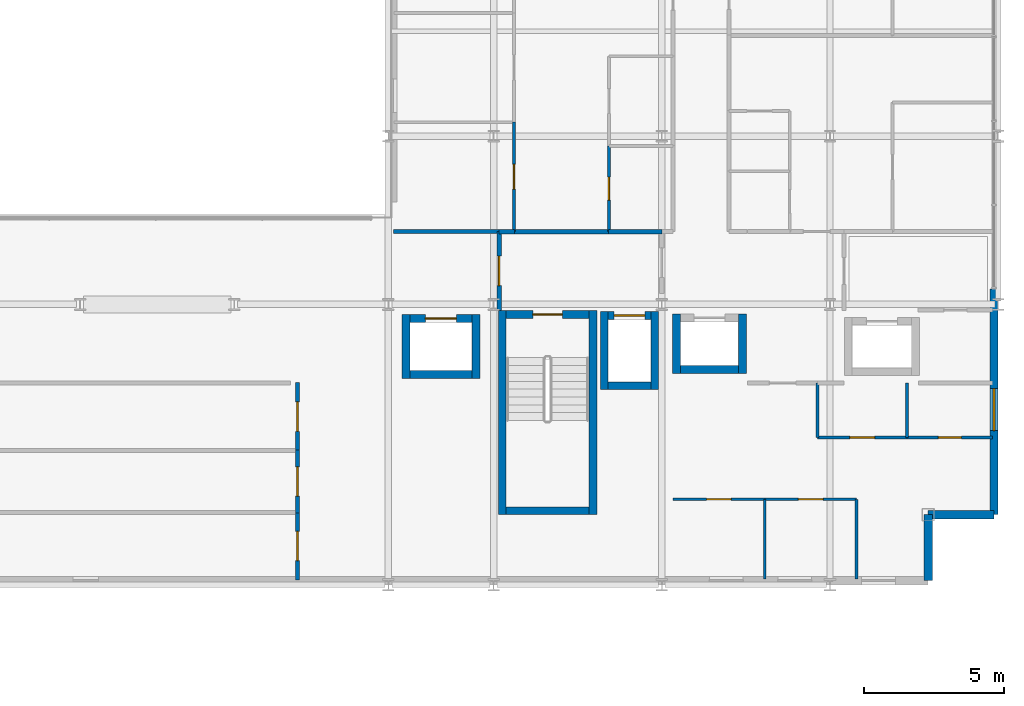
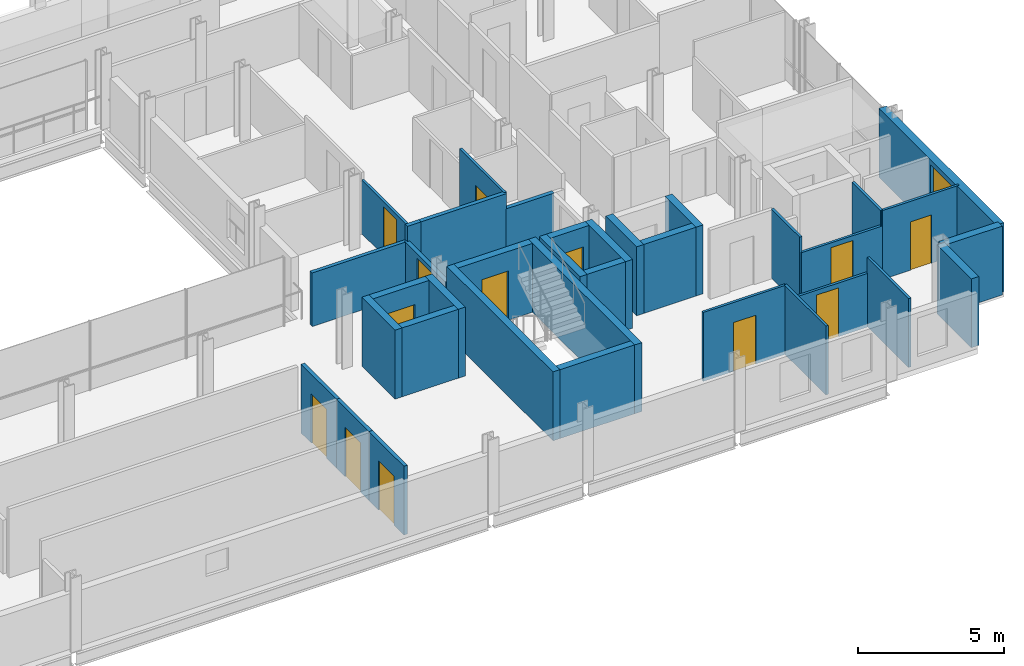
# One storey, part 34 of 41: 36 walls, 13 doors, 1 window, 14 openings.
"""IFC4 building model written with IfcOpenShell, lengths in metres."""

from ifc_helpers import new_model, si_unit, direction, frame, frame_2d, origin, place, context, subcontext, project, spatial, rectangle, extrude, material, layer, layer_set, type_object, element, fill, save


model = new_model("IFC4")

# Units and contexts
model_context = context("Model", 3, precision=1e-05, world=origin(), true_north=direction((0.0, 1.0)))
body_context = subcontext(model_context, "Body", "Model", "MODEL_VIEW")
ifc_project = project(units=[si_unit("LENGTHUNIT", "METRE"), si_unit("AREAUNIT", "SQUARE_METRE"), si_unit("VOLUMEUNIT", "CUBIC_METRE"), si_unit("PLANEANGLEUNIT", "RADIAN"), si_unit("MASSUNIT", "GRAM", prefix="KILO")], contexts=[model_context])

# Site, building, storey
site_placement = place(None, origin())
site = spatial("IfcSite", under=ifc_project, at=site_placement, CompositionType="ELEMENT")
building_placement = place(site_placement, origin())
building = spatial("IfcBuilding", under=site, at=building_placement, Name="Brevholm Reach", CompositionType="ELEMENT")
storey_placement = place(building_placement, frame((0.0, 0.0, 112.800048828125)))
storey = spatial("IfcBuildingStorey", under=building, at=storey_placement, Name="L33", CompositionType="ELEMENT", Elevation=112.800048828125)

# Walls
ifc_material_1 = material(Name="Concrete C50/60", Category="concrete")
ifc_layer_1 = layer(ifc_material_1, 0.280029296875)
ifc_layer_set_1 = layer_set([ifc_layer_1], Name="Concrete C50/60")
wall_type_1 = type_object("IfcWallType", Name="WAL-COR-280", PredefinedType="SHEAR", material=ifc_layer_set_1)
for number, where, z_axis, x_axis, name in (
    (1, (42.31005859375, 2.5, 0.0), (0.0, 0.0, 1.0), (0.0, 1.0, 0.0), "L33 Escape Stair ST-2 Core Wall W"),
    (2, (45.5400390625, 2.5, 0.0), (0.0, 0.0, 1.0), (0.0, 1.0, 0.0), "L33 Escape Stair ST-2 Core Wall E"),
):
    element("IfcWall", number, at=place(storey_placement, frame(where, z_axis=z_axis, x_axis=x_axis)), inside=storey, type_object=wall_type_1, Name=name, PredefinedType="SHEAR", context=body_context, shape_type="SweptSolid", body=[
        extrude(rectangle(XDim=7.280029296875, YDim=0.280029296875, at=frame_2d((3.64013671875, 0.0))), origin(), (0.0, 0.0, 1.0), 2.8798828125),
    ])
wall_1_placement = place(storey_placement, frame((42.449951171875, 2.639892578125, 0.0), z_axis=(0.0, 0.0, 1.0), x_axis=(1.0, 0.0, 0.0)))
element("IfcWall", 3, at=wall_1_placement, inside=storey, type_object=wall_type_1, Name="L33 Escape Stair ST-2 Core Wall S", PredefinedType="SHEAR", context=body_context, shape_type="SweptSolid", body=[
    extrude(rectangle(XDim=2.949951171875, YDim=0.280029296875, at=frame_2d((1.47509765625, 0.0))), origin(), (0.0, 0.0, 1.0), 2.8798828125),
])

# Wall, opening, door
wall_2_placement = place(storey_placement, frame((45.39990234375, 9.639892578125, 0.0), z_axis=(0.0, 0.0, 1.0), x_axis=(-1.0, 0.0, 0.0)))
wall_2 = element("IfcWall", 4, at=wall_2_placement, inside=storey, type_object=wall_type_1, Name="L33 Escape Stair ST-2 Core Wall N", PredefinedType="SHEAR", context=body_context, shape_type="SweptSolid", body=[
    extrude(rectangle(XDim=2.949951171875, YDim=0.280029296875, at=frame_2d((1.47509765625, 0.0))), origin(), (0.0, 0.0, 1.0), 2.8798828125),
])
opening_1_placement = place(wall_2_placement, frame((0.949951171875, 0.0, 0.0)))
opening_1 = element("IfcOpeningElement", 5, at=opening_1_placement, cuts=wall_2, Name="Opening SD-ST-2", PredefinedType="OPENING", context=body_context, shape_type="SweptSolid", body=[
    extrude(rectangle(XDim=1.050048828125, YDim=2.06005859375, at=frame_2d((0.52490234375, 1.030029296875))), frame((0.0, 0.14990234375, 0.0), z_axis=(0.0, -1.0, 0.0), x_axis=(1.0, 0.0, 0.0)), (0.0, 0.0, 1.0), 0.300048828125),
])
ifc_material_2 = material(Name="Hardwood-Lipped Steel-Core Fire and Smoke Door", Category="steel")
door_type_1 = type_object("IfcDoorType", Name="DOR-INT-FD60S", OperationType="NOTDEFINED", PredefinedType="DOOR", material=ifc_material_2)
door_1_placement = place(opening_1_placement, origin())
door_1 = element("IfcDoor", 6, at=door_1_placement, inside=storey, type_object=door_type_1, Name="L33 Protected Stair ST-2 Lobby Door", OperationType="SINGLE_SWING_RIGHT", OverallHeight=2.06005859375, OverallWidth=1.050048828125, PredefinedType="DOOR", context=body_context, shape_type="SweptSolid", body=[
    extrude(rectangle(XDim=1.050048828125, YDim=2.06005859375, at=frame_2d((0.52490234375, 1.030029296875))), frame((0.0, 0.02490234375, 0.0), z_axis=(0.0, -1.0, 0.0), x_axis=(1.0, 0.0, 0.0)), (0.0, 0.0, 1.0), 0.050048828125),
])
fill(opening_1, door_1)

# Walls
for number, where, z_axis, x_axis, name in (
    (7, (45.949951171875, 6.9599609375, 0.0), (0.0, 0.0, 1.0), (0.0, 1.0, 0.0), "L33 Lift FFL-2 Shaft Wall W"),
    (8, (47.75, 6.9599609375, 0.0), (0.0, 0.0, 1.0), (0.0, 1.0, 0.0), "L33 Lift FFL-2 Shaft Wall E"),
):
    element("IfcWall", number, at=place(storey_placement, frame(where, z_axis=z_axis, x_axis=x_axis)), inside=storey, type_object=wall_type_1, Name=name, PredefinedType="SHEAR", context=body_context, shape_type="SweptSolid", body=[
        extrude(rectangle(XDim=2.780029296875, YDim=0.280029296875, at=frame_2d((1.39013671875, 0.0))), origin(), (0.0, 0.0, 1.0), 2.8798828125),
    ])
wall_3_placement = place(storey_placement, frame((46.090087890625, 7.10009765625, 0.0), z_axis=(0.0, 0.0, 1.0), x_axis=(1.0, 0.0, 0.0)))
element("IfcWall", 9, at=wall_3_placement, inside=storey, type_object=wall_type_1, Name="L33 Lift FFL-2 Shaft Wall S", PredefinedType="SHEAR", context=body_context, shape_type="SweptSolid", body=[
    extrude(rectangle(XDim=1.52001953125, YDim=0.280029296875, at=frame_2d((0.760009765625, 0.0))), origin(), (0.0, 0.0, 1.0), 2.8798828125),
])

# Wall, opening, door
wall_4_placement = place(storey_placement, frame((46.090087890625, 9.60009765625, 0.0), z_axis=(0.0, 0.0, 1.0), x_axis=(1.0, 0.0, 0.0)))
wall_4 = element("IfcWall", 10, at=wall_4_placement, inside=storey, type_object=wall_type_1, Name="L33 Lift FFL-2 Shaft Wall N", PredefinedType="SHEAR", context=body_context, shape_type="SweptSolid", body=[
    extrude(rectangle(XDim=1.52001953125, YDim=0.280029296875, at=frame_2d((0.760009765625, 0.0))), origin(), (0.0, 0.0, 1.0), 2.8798828125),
])
opening_2_placement = place(wall_4_placement, frame((0.2099609375, 0.0, 0.0)))
opening_2 = element("IfcOpeningElement", 11, at=opening_2_placement, cuts=wall_4, Name="Opening LD-FFL-2", PredefinedType="OPENING", context=body_context, shape_type="SweptSolid", body=[
    extrude(rectangle(XDim=1.10009765625, YDim=2.06005859375, at=frame_2d((0.550048828125, 1.030029296875))), frame((0.0, 0.14990234375, 0.0), z_axis=(0.0, -1.0, 0.0), x_axis=(1.0, 0.0, 0.0)), (0.0, 0.0, 1.0), 0.300048828125),
])
ifc_material_3 = material(Name="Brushed Stainless Steel Fire-Rated Sliding Lift Door", Category="steel")
door_type_2 = type_object("IfcDoorType", Name="DOR-LFT-1100", OperationType="NOTDEFINED", PredefinedType="DOOR", material=ifc_material_3)
door_2_placement = place(opening_2_placement, origin())
door_2 = element("IfcDoor", 12, at=door_2_placement, inside=storey, type_object=door_type_2, Name="L33 Lift FFL-2 Sliding Landing Door", OperationType="SLIDING_TO_RIGHT", OverallHeight=2.06005859375, OverallWidth=1.10009765625, PredefinedType="DOOR", context=body_context, shape_type="SweptSolid", body=[
    extrude(rectangle(XDim=1.10009765625, YDim=2.06005859375, at=frame_2d((0.550048828125, 1.030029296875))), frame((0.0, 0.02490234375, 0.0), z_axis=(0.0, -1.0, 0.0), x_axis=(1.0, 0.0, 0.0)), (0.0, 0.0, 1.0), 0.050048828125),
])
fill(opening_2, door_2)

# Walls
for number, where, z_axis, x_axis, name in (
    (13, (48.52490234375, 7.534912109375, 0.0), (0.0, 0.0, 1.0), (0.0, 1.0, 0.0), "L33 Lift PL-L1 Shaft Wall W"),
    (14, (50.875, 7.534912109375, 0.0), (0.0, 0.0, 1.0), (0.0, 1.0, 0.0), "L33 Lift PL-L1 Shaft Wall E"),
):
    element("IfcWall", number, at=place(storey_placement, frame(where, z_axis=z_axis, x_axis=x_axis)), inside=storey, type_object=wall_type_1, Name=name, PredefinedType="SHEAR", context=body_context, shape_type="SweptSolid", body=[
        extrude(rectangle(XDim=2.130126953125, YDim=0.280029296875, at=frame_2d((1.06494140625, 0.0))), origin(), (0.0, 0.0, 1.0), 2.8798828125),
    ])
wall_5_placement = place(storey_placement, frame((48.6650390625, 7.675048828125, 0.0), z_axis=(0.0, 0.0, 1.0), x_axis=(1.0, 0.0, 0.0)))
element("IfcWall", 15, at=wall_5_placement, inside=storey, type_object=wall_type_1, Name="L33 Lift PL-L1 Shaft Wall S", PredefinedType="SHEAR", context=body_context, shape_type="SweptSolid", body=[
    extrude(rectangle(XDim=2.070068359375, YDim=0.280029296875, at=frame_2d((1.03515625, 0.0))), origin(), (0.0, 0.0, 1.0), 2.8798828125),
])
for number, where, z_axis, x_axis, name in (
    (16, (38.8701171875, 7.360107421875, 0.0), (0.0, 0.0, 1.0), (0.0, 1.0, 0.0), "L33 Lift PL-S1 Shaft Wall W"),
    (17, (41.3701171875, 7.360107421875, 0.0), (0.0, 0.0, 1.0), (0.0, 1.0, 0.0), "L33 Lift PL-S1 Shaft Wall E"),
):
    element("IfcWall", number, at=place(storey_placement, frame(where, z_axis=z_axis, x_axis=x_axis)), inside=storey, type_object=wall_type_1, Name=name, PredefinedType="SHEAR", context=body_context, shape_type="SweptSolid", body=[
        extrude(rectangle(XDim=2.27978515625, YDim=0.280029296875, at=frame_2d((1.139892578125, 0.0))), origin(), (0.0, 0.0, 1.0), 2.8798828125),
    ])
wall_6_placement = place(storey_placement, frame((39.010009765625, 7.5, 0.0), z_axis=(0.0, 0.0, 1.0), x_axis=(1.0, 0.0, 0.0)))
element("IfcWall", 18, at=wall_6_placement, inside=storey, type_object=wall_type_1, Name="L33 Lift PL-S1 Shaft Wall S", PredefinedType="SHEAR", context=body_context, shape_type="SweptSolid", body=[
    extrude(rectangle(XDim=2.219970703125, YDim=0.280029296875, at=frame_2d((1.10986328125, 0.0))), origin(), (0.0, 0.0, 1.0), 2.8798828125),
])

# Wall, opening, door
wall_7_placement = place(storey_placement, frame((39.010009765625, 9.5, 0.0), z_axis=(0.0, 0.0, 1.0), x_axis=(1.0, 0.0, 0.0)))
wall_7 = element("IfcWall", 19, at=wall_7_placement, inside=storey, type_object=wall_type_1, Name="L33 Lift PL-S1 Shaft Wall N", PredefinedType="SHEAR", context=body_context, shape_type="SweptSolid", body=[
    extrude(rectangle(XDim=2.219970703125, YDim=0.280029296875, at=frame_2d((1.10986328125, 0.0))), origin(), (0.0, 0.0, 1.0), 2.8798828125),
])
opening_3_placement = place(wall_7_placement, frame((0.56005859375, 0.0, 0.0)))
opening_3 = element("IfcOpeningElement", 20, at=opening_3_placement, cuts=wall_7, Name="Opening LD-PL-S1", PredefinedType="OPENING", context=body_context, shape_type="SweptSolid", body=[
    extrude(rectangle(XDim=1.10009765625, YDim=2.06005859375, at=frame_2d((0.550048828125, 1.030029296875))), frame((0.0, 0.14990234375, 0.0), z_axis=(0.0, -1.0, 0.0), x_axis=(1.0, 0.0, 0.0)), (0.0, 0.0, 1.0), 0.300048828125),
])
door_3_placement = place(opening_3_placement, origin())
door_3 = element("IfcDoor", 21, at=door_3_placement, inside=storey, type_object=door_type_2, Name="L33 Lift PL-S1 Sliding Landing Door", OperationType="SLIDING_TO_LEFT", OverallHeight=2.06005859375, OverallWidth=1.10009765625, PredefinedType="DOOR", context=body_context, shape_type="SweptSolid", body=[
    extrude(rectangle(XDim=1.10009765625, YDim=2.06005859375, at=frame_2d((0.550048828125, 1.030029296875))), frame((0.0, 0.02490234375, 0.0), z_axis=(0.0, -1.0, 0.0), x_axis=(1.0, 0.0, 0.0)), (0.0, 0.0, 1.0), 0.050048828125),
])
fill(opening_3, door_3)

# Walls
ifc_material_4 = material(Name="Concrete C40/50", Category="concrete")
ifc_layer_2 = layer(ifc_material_4, 0.300048828125)
ifc_layer_set_2 = layer_set([ifc_layer_2], Name="Concrete C40/50")
wall_type_2 = type_object("IfcWallType", Name="WAL-EXT-300", PredefinedType="STANDARD", material=ifc_layer_set_2)
for number, where, z_axis, x_axis, name in (
    (22, (57.5, 0.14990234375, 0.0), (0.0, 0.0, 1.0), (0.0, 1.0, 0.0), "L33 Facade Wall WAL-L33-CSE1"),
    (23, (57.5, 2.5, 0.0), (0.0, 0.0, 1.0), (1.0, 0.0, 0.0), "L33 Facade Wall WAL-L33-CSE2"),
):
    element("IfcWall", number, at=place(storey_placement, frame(where, z_axis=z_axis, x_axis=x_axis)), inside=storey, type_object=wall_type_2, Name=name, PredefinedType="STANDARD", context=body_context, shape_type="SweptSolid", body=[
        extrude(rectangle(XDim=2.35009765625, YDim=0.300048828125, at=frame_2d((1.175048828125, 0.0))), origin(), (0.0, 0.0, 1.0), 2.8798828125),
    ])

# Wall, opening, window
wall_8_placement = place(storey_placement, frame((59.85009765625, 2.5, 0.0), z_axis=(0.0, 0.0, 1.0), x_axis=(0.0, 1.0, 0.0)))
wall_8 = element("IfcWall", 24, at=wall_8_placement, inside=storey, type_object=wall_type_2, Name="L33 Facade Wall WAL-L33-E-S", PredefinedType="STANDARD", context=body_context, shape_type="SweptSolid", body=[
    extrude(rectangle(XDim=8.050048828125, YDim=0.300048828125, at=frame_2d((4.02490234375, 0.0))), origin(), (0.0, 0.0, 1.0), 2.8798828125),
])
opening_4_placement = place(wall_8_placement, frame((3.0, 0.0, 0.860107421875)))
opening_4 = element("IfcOpeningElement", 25, at=opening_4_placement, cuts=wall_8, Name="Opening WN-05", PredefinedType="OPENING", context=body_context, shape_type="SweptSolid", body=[
    extrude(rectangle(XDim=1.5, YDim=1.800048828125, at=frame_2d((0.75, 0.89990234375))), frame((0.0, 0.159912109375, 0.0), z_axis=(0.0, -1.0, 0.0), x_axis=(1.0, 0.0, 0.0)), (0.0, 0.0, 1.0), 0.320068359375),
])
ifc_material_5 = material(Name="Dark Anodised Aluminium and Solar-Control IGU Glass", Category="aluminium")
window_type = type_object("IfcWindowType", Name="WIN-RES-1500", PartitioningType="SINGLE_PANEL", PredefinedType="WINDOW", material=ifc_material_5)
window_placement = place(opening_4_placement, origin())
window = element("IfcWindow", 26, at=window_placement, inside=storey, type_object=window_type, Name="L33 Window WIN-L33-ES-1", OverallHeight=1.800048828125, OverallWidth=1.5, PartitioningType="SINGLE_PANEL", PredefinedType="WINDOW", context=body_context, shape_type="SweptSolid", body=[
    extrude(rectangle(XDim=1.5, YDim=1.800048828125, at=frame_2d((0.75, 0.89990234375))), frame((0.0, 0.030029296875, 0.0), z_axis=(0.0, -1.0, 0.0), x_axis=(1.0, 0.0, 0.0)), (0.0, 0.0, 1.0), 0.06005859375),
])
fill(opening_4, window)

# Wall
ifc_material_6 = material(Name="Moisture-Resistant Acoustic Gypsum Stud Partition 100 mm", Category="gypsum")
ifc_layer_3 = layer(ifc_material_6, 0.10009765625)
ifc_layer_set_3 = layer_set([ifc_layer_3], Name="Moisture-Resistant Acoustic Gypsum Stud Partition 100 mm")
wall_type_3 = type_object("IfcWallType", Name="WAL-PRT-100", PredefinedType="PARTITIONING", material=ifc_layer_set_3)
wall_9_placement = place(storey_placement, frame((56.75, 5.25, 0.0), z_axis=(0.0, 0.0, 1.0), x_axis=(0.0, 1.0, 0.0)))
element("IfcWall", 27, at=wall_9_placement, inside=storey, type_object=wall_type_3, Name="L33 Internal Partition 079", PredefinedType="PARTITIONING", context=body_context, shape_type="SweptSolid", body=[
    extrude(rectangle(XDim=1.949951171875, YDim=0.10009765625, at=frame_2d((0.97509765625, 0.0))), origin(), (0.0, 0.0, 1.0), 2.8798828125),
])

# Wall, opening, door
wall_10_placement = place(storey_placement, frame((56.75, 5.25, 0.0), z_axis=(0.0, 0.0, 1.0), x_axis=(1.0, 0.0, 0.0)))
wall_10 = element("IfcWall", 28, at=wall_10_placement, inside=storey, type_object=wall_type_3, Name="L33 Internal Partition 080", PredefinedType="PARTITIONING", context=body_context, shape_type="SweptSolid", body=[
    extrude(rectangle(XDim=3.050048828125, YDim=0.10009765625, at=frame_2d((1.52490234375, 0.0))), origin(), (0.0, 0.0, 1.0), 2.8798828125),
])
opening_5_placement = place(wall_10_placement, frame((1.114990234375, 0.0, 0.0)))
opening_5 = element("IfcOpeningElement", 29, at=opening_5_placement, cuts=wall_10, Name="Opening ID-03", PredefinedType="OPENING", context=body_context, shape_type="SweptSolid", body=[
    extrude(rectangle(XDim=0.820068359375, YDim=2.02001953125, at=frame_2d((0.41015625, 1.010009765625))), frame((0.0, 0.06005859375, 0.0), z_axis=(0.0, -1.0, 0.0), x_axis=(1.0, 0.0, 0.0)), (0.0, 0.0, 1.0), 0.1201171875),
])
ifc_material_7 = material(Name="Moisture-Resistant Painted Timber Internal Bathroom Door", Category="wood")
door_type_3 = type_object("IfcDoorType", Name="DOR-BATH-820", OperationType="NOTDEFINED", PredefinedType="DOOR", material=ifc_material_7)
door_4_placement = place(opening_5_placement, origin())
door_4 = element("IfcDoor", 30, at=door_4_placement, inside=storey, type_object=door_type_3, Name="L33 Internal Door 028", OperationType="SINGLE_SWING_RIGHT", OverallHeight=2.02001953125, OverallWidth=0.820068359375, PredefinedType="DOOR", context=body_context, shape_type="SweptSolid", body=[
    extrude(rectangle(XDim=0.820068359375, YDim=2.02001953125, at=frame_2d((0.41015625, 1.010009765625))), frame((0.0, 0.02490234375, 0.0), z_axis=(0.0, -1.0, 0.0), x_axis=(1.0, 0.0, 0.0)), (0.0, 0.0, 1.0), 0.050048828125),
])
fill(opening_5, door_4)

wall_11_placement = place(storey_placement, frame((53.55810546875, 5.25, 0.0), z_axis=(0.0, 0.0, 1.0), x_axis=(1.0, 0.0, 0.0)))
wall_11 = element("IfcWall", 31, at=wall_11_placement, inside=storey, type_object=wall_type_3, Name="L33 Internal Partition 081", PredefinedType="PARTITIONING", context=body_context, shape_type="SweptSolid", body=[
    extrude(rectangle(XDim=3.18798828125, YDim=0.10009765625, at=frame_2d((1.593994140625, 0.0))), origin(), (0.0, 0.0, 1.0), 2.24267578125),
])
opening_6_placement = place(wall_11_placement, frame((1.154052734375, 0.0, 0.0)))
opening_6 = element("IfcOpeningElement", 32, at=opening_6_placement, cuts=wall_11, Name="Opening ID-01", PredefinedType="OPENING", context=body_context, shape_type="SweptSolid", body=[
    extrude(rectangle(XDim=0.8798828125, YDim=2.0400390625, at=frame_2d((0.43994140625, 1.02001953125))), frame((0.0, 0.06005859375, 0.0), z_axis=(0.0, -1.0, 0.0), x_axis=(1.0, 0.0, 0.0)), (0.0, 0.0, 1.0), 0.1201171875),
])
ifc_material_8 = material(Name="Lacquered Ash Solid-Core Acoustic Internal Door", Category="timber")
door_type_4 = type_object("IfcDoorType", Name="DOR-INT-880", OperationType="NOTDEFINED", PredefinedType="DOOR", material=ifc_material_8)
door_5_placement = place(opening_6_placement, origin())
door_5 = element("IfcDoor", 33, at=door_5_placement, inside=storey, type_object=door_type_4, Name="L33 Internal Door 029", OperationType="SINGLE_SWING_LEFT", OverallHeight=2.0400390625, OverallWidth=0.8798828125, PredefinedType="DOOR", context=body_context, shape_type="SweptSolid", body=[
    extrude(rectangle(XDim=0.8798828125, YDim=2.0400390625, at=frame_2d((0.43994140625, 1.02001953125))), frame((0.0, 0.02490234375, 0.0), z_axis=(0.0, -1.0, 0.0), x_axis=(1.0, 0.0, 0.0)), (0.0, 0.0, 1.0), 0.050048828125),
])
fill(opening_6, door_5)

# Walls
wall_12_placement = place(storey_placement, frame((53.55810546875, 5.25, 0.0), z_axis=(0.0, 0.0, 1.0), x_axis=(0.0, 1.0, 0.0)))
element("IfcWall", 34, at=wall_12_placement, inside=storey, type_object=wall_type_3, Name="L33 Internal Partition 082", PredefinedType="PARTITIONING", context=body_context, shape_type="SweptSolid", body=[
    extrude(rectangle(XDim=1.946044921875, YDim=0.10009765625, at=frame_2d((0.97314453125, 0.0))), origin(), (0.0, 0.0, 1.0), 2.8798828125),
])
wall_13_placement = place(storey_placement, frame((51.675048828125, 0.199951171875, 0.0), z_axis=(0.0, 0.0, 1.0), x_axis=(0.0, 1.0, 0.0)))
element("IfcWall", 35, at=wall_13_placement, inside=storey, type_object=wall_type_3, Name="L33 Internal Partition 083", PredefinedType="PARTITIONING", context=body_context, shape_type="SweptSolid", body=[
    extrude(rectangle(XDim=2.85009765625, YDim=0.10009765625, at=frame_2d((1.425048828125, 0.0))), origin(), (0.0, 0.0, 1.0), 2.8798828125),
])

# Wall, opening, door
wall_14_placement = place(storey_placement, frame((48.39990234375, 3.050048828125, 0.0), z_axis=(0.0, 0.0, 1.0), x_axis=(1.0, 0.0, 0.0)))
wall_14 = element("IfcWall", 36, at=wall_14_placement, inside=storey, type_object=wall_type_3, Name="L33 Internal Partition 084", PredefinedType="PARTITIONING", context=body_context, shape_type="SweptSolid", body=[
    extrude(rectangle(XDim=3.275146484375, YDim=0.10009765625, at=frame_2d((1.6376953125, 0.0))), origin(), (0.0, 0.0, 1.0), 2.8798828125),
])
opening_7_placement = place(wall_14_placement, frame((1.197509765625, 0.0, 0.0)))
opening_7 = element("IfcOpeningElement", 37, at=opening_7_placement, cuts=wall_14, Name="Opening ID-01", PredefinedType="OPENING", context=body_context, shape_type="SweptSolid", body=[
    extrude(rectangle(XDim=0.8798828125, YDim=2.0400390625, at=frame_2d((0.43994140625, 1.02001953125))), frame((0.0, 0.06005859375, 0.0), z_axis=(0.0, -1.0, 0.0), x_axis=(1.0, 0.0, 0.0)), (0.0, 0.0, 1.0), 0.1201171875),
])
door_6_placement = place(opening_7_placement, origin())
door_6 = element("IfcDoor", 38, at=door_6_placement, inside=storey, type_object=door_type_4, Name="L33 Internal Door 030", OperationType="SINGLE_SWING_RIGHT", OverallHeight=2.0400390625, OverallWidth=0.8798828125, PredefinedType="DOOR", context=body_context, shape_type="SweptSolid", body=[
    extrude(rectangle(XDim=0.8798828125, YDim=2.0400390625, at=frame_2d((0.43994140625, 1.02001953125))), frame((0.0, 0.02490234375, 0.0), z_axis=(0.0, -1.0, 0.0), x_axis=(1.0, 0.0, 0.0)), (0.0, 0.0, 1.0), 0.050048828125),
])
fill(opening_7, door_6)

# Wall
wall_15_placement = place(storey_placement, frame((54.949951171875, 0.199951171875, 0.0), z_axis=(0.0, 0.0, 1.0), x_axis=(0.0, 1.0, 0.0)))
element("IfcWall", 39, at=wall_15_placement, inside=storey, type_object=wall_type_3, Name="L33 Internal Partition 085", PredefinedType="PARTITIONING", context=body_context, shape_type="SweptSolid", body=[
    extrude(rectangle(XDim=2.85009765625, YDim=0.10009765625, at=frame_2d((1.425048828125, 0.0))), origin(), (0.0, 0.0, 1.0), 2.8798828125),
])

# Wall, opening, door
wall_16_placement = place(storey_placement, frame((51.678955078125, 3.050048828125, 0.0), z_axis=(0.0, 0.0, 1.0), x_axis=(1.0, 0.0, 0.0)))
wall_16 = element("IfcWall", 40, at=wall_16_placement, inside=storey, type_object=wall_type_3, Name="L33 Internal Partition 086", PredefinedType="PARTITIONING", context=body_context, shape_type="SweptSolid", body=[
    extrude(rectangle(XDim=3.27099609375, YDim=0.10009765625, at=frame_2d((1.635498046875, 0.0))), origin(), (0.0, 0.0, 1.0), 2.24267578125),
])
opening_8_placement = place(wall_16_placement, frame((1.195556640625, 0.0, 0.0)))
opening_8 = element("IfcOpeningElement", 41, at=opening_8_placement, cuts=wall_16, Name="Opening ID-01", PredefinedType="OPENING", context=body_context, shape_type="SweptSolid", body=[
    extrude(rectangle(XDim=0.8798828125, YDim=2.0400390625, at=frame_2d((0.43994140625, 1.02001953125))), frame((0.0, 0.06005859375, 0.0), z_axis=(0.0, -1.0, 0.0), x_axis=(1.0, 0.0, 0.0)), (0.0, 0.0, 1.0), 0.1201171875),
])
door_7_placement = place(opening_8_placement, origin())
door_7 = element("IfcDoor", 42, at=door_7_placement, inside=storey, type_object=door_type_4, Name="L33 Internal Door 031", OperationType="SINGLE_SWING_LEFT", OverallHeight=2.0400390625, OverallWidth=0.8798828125, PredefinedType="DOOR", context=body_context, shape_type="SweptSolid", body=[
    extrude(rectangle(XDim=0.8798828125, YDim=2.0400390625, at=frame_2d((0.43994140625, 1.02001953125))), frame((0.0, 0.02490234375, 0.0), z_axis=(0.0, -1.0, 0.0), x_axis=(1.0, 0.0, 0.0)), (0.0, 0.0, 1.0), 0.050048828125),
])
fill(opening_8, door_7)

wall_17_placement = place(storey_placement, frame((46.112060546875, 12.60400390625, 0.0), z_axis=(0.0, 0.0, 1.0), x_axis=(0.0, 1.0, 0.0)))
wall_17 = element("IfcWall", 43, at=wall_17_placement, inside=storey, type_object=wall_type_3, Name="L33 Internal Partition 121", PredefinedType="PARTITIONING", context=body_context, shape_type="SweptSolid", body=[
    extrude(rectangle(XDim=3.0458984375, YDim=0.10009765625, at=frame_2d((1.52294921875, 0.0))), origin(), (0.0, 0.0, 1.0), 2.8798828125),
])
opening_9_placement = place(wall_17_placement, frame((1.113037109375, 0.0, 0.0)))
opening_9 = element("IfcOpeningElement", 44, at=opening_9_placement, cuts=wall_17, Name="Opening ID-03", PredefinedType="OPENING", context=body_context, shape_type="SweptSolid", body=[
    extrude(rectangle(XDim=0.820068359375, YDim=2.02001953125, at=frame_2d((0.41015625, 1.010009765625))), frame((0.0, 0.06005859375, 0.0), z_axis=(0.0, -1.0, 0.0), x_axis=(1.0, 0.0, 0.0)), (0.0, 0.0, 1.0), 0.1201171875),
])
door_8_placement = place(opening_9_placement, origin())
door_8 = element("IfcDoor", 45, at=door_8_placement, inside=storey, type_object=door_type_3, Name="L33 Internal Door 044", OperationType="SINGLE_SWING_RIGHT", OverallHeight=2.02001953125, OverallWidth=0.820068359375, PredefinedType="DOOR", context=body_context, shape_type="SweptSolid", body=[
    extrude(rectangle(XDim=0.820068359375, YDim=2.02001953125, at=frame_2d((0.41015625, 1.010009765625))), frame((0.0, 0.02490234375, 0.0), z_axis=(0.0, -1.0, 0.0), x_axis=(1.0, 0.0, 0.0)), (0.0, 0.0, 1.0), 0.050048828125),
])
fill(opening_9, door_8)

wall_18_placement = place(storey_placement, frame((42.72802734375, 12.60400390625, 0.0), z_axis=(0.0, 0.0, 1.0), x_axis=(0.0, 1.0, 0.0)))
wall_18 = element("IfcWall", 46, at=wall_18_placement, inside=storey, type_object=wall_type_3, Name="L33 Internal Partition 127", PredefinedType="PARTITIONING", context=body_context, shape_type="SweptSolid", body=[
    extrude(rectangle(XDim=3.89599609375, YDim=0.10009765625, at=frame_2d((1.947998046875, 0.0))), origin(), (0.0, 0.0, 1.0), 2.24267578125),
])
opening_10_placement = place(wall_18_placement, frame((1.508056640625, 0.0, 0.0)))
opening_10 = element("IfcOpeningElement", 47, at=opening_10_placement, cuts=wall_18, Name="Opening ID-01", PredefinedType="OPENING", context=body_context, shape_type="SweptSolid", body=[
    extrude(rectangle(XDim=0.8798828125, YDim=2.0400390625, at=frame_2d((0.43994140625, 1.02001953125))), frame((0.0, 0.06005859375, 0.0), z_axis=(0.0, -1.0, 0.0), x_axis=(1.0, 0.0, 0.0)), (0.0, 0.0, 1.0), 0.1201171875),
])
door_9_placement = place(opening_10_placement, origin())
door_9 = element("IfcDoor", 48, at=door_9_placement, inside=storey, type_object=door_type_4, Name="L33 Internal Door 047", OperationType="SINGLE_SWING_LEFT", OverallHeight=2.0400390625, OverallWidth=0.8798828125, PredefinedType="DOOR", context=body_context, shape_type="SweptSolid", body=[
    extrude(rectangle(XDim=0.8798828125, YDim=2.0400390625, at=frame_2d((0.43994140625, 1.02001953125))), frame((0.0, 0.02490234375, 0.0), z_axis=(0.0, -1.0, 0.0), x_axis=(1.0, 0.0, 0.0)), (0.0, 0.0, 1.0), 0.050048828125),
])
fill(opening_10, door_9)

ifc_material_9 = material(Name="Twin-Stud Acoustic Fire-Rated Gypsum Partition 140 mm", Category="gypsum")
ifc_layer_4 = layer(ifc_material_9, 0.139892578125)
ifc_layer_set_4 = layer_set([ifc_layer_4], Name="Twin-Stud Acoustic Fire-Rated Gypsum Partition 140 mm")
wall_type_4 = type_object("IfcWallType", Name="WAL-PRT-140", PredefinedType="PARTITIONING", material=ifc_layer_set_4)
wall_19_placement = place(storey_placement, frame((35.0, 0.179931640625, 0.0), z_axis=(0.0, 0.0, 1.0), x_axis=(0.0, 1.0, 0.0)))
wall_19 = element("IfcWall", 49, at=wall_19_placement, inside=storey, type_object=wall_type_4, Name="L33 Internal Partition 001", PredefinedType="PARTITIONING", context=body_context, shape_type="SweptSolid", body=[
    extrude(rectangle(XDim=2.408447265625, YDim=0.139892578125, at=frame_2d((1.2041015625, 0.0))), origin(), (0.0, 0.0, 1.0), 2.8798828125),
])
opening_11_placement = place(wall_19_placement, frame((0.67919921875, 0.0, 0.0)))
opening_11 = element("IfcOpeningElement", 50, at=opening_11_placement, cuts=wall_19, Name="Opening FD-01", PredefinedType="OPENING", context=body_context, shape_type="SweptSolid", body=[
    extrude(rectangle(XDim=1.050048828125, YDim=2.06005859375, at=frame_2d((0.52490234375, 1.030029296875))), frame((0.0, 0.079833984375, 0.0), z_axis=(0.0, -1.0, 0.0), x_axis=(1.0, 0.0, 0.0)), (0.0, 0.0, 1.0), 0.159912109375),
])
door_10_placement = place(opening_11_placement, origin())
door_10 = element("IfcDoor", 51, at=door_10_placement, inside=storey, type_object=door_type_1, Name="L33 Internal Door 001", OperationType="SINGLE_SWING_LEFT", OverallHeight=2.06005859375, OverallWidth=1.050048828125, PredefinedType="DOOR", context=body_context, shape_type="SweptSolid", body=[
    extrude(rectangle(XDim=1.050048828125, YDim=2.06005859375, at=frame_2d((0.52490234375, 1.030029296875))), frame((0.0, 0.02490234375, 0.0), z_axis=(0.0, -1.0, 0.0), x_axis=(1.0, 0.0, 0.0)), (0.0, 0.0, 1.0), 0.050048828125),
])
fill(opening_11, door_10)

wall_20_placement = place(storey_placement, frame((35.0, 2.569580078125, 0.0), z_axis=(0.0, 0.0, 1.0), x_axis=(0.0, 1.0, 0.0)))
wall_20 = element("IfcWall", 52, at=wall_20_placement, inside=storey, type_object=wall_type_4, Name="L33 Internal Partition 002", PredefinedType="PARTITIONING", context=body_context, shape_type="SweptSolid", body=[
    extrude(rectangle(XDim=2.230712890625, YDim=0.139892578125, at=frame_2d((1.115234375, 0.0))), origin(), (0.0, 0.0, 1.0), 2.8798828125),
])
opening_12_placement = place(wall_20_placement, frame((0.59033203125, 0.0, 0.0)))
opening_12 = element("IfcOpeningElement", 53, at=opening_12_placement, cuts=wall_20, Name="Opening FD-01", PredefinedType="OPENING", context=body_context, shape_type="SweptSolid", body=[
    extrude(rectangle(XDim=1.050048828125, YDim=2.06005859375, at=frame_2d((0.52490234375, 1.030029296875))), frame((0.0, 0.079833984375, 0.0), z_axis=(0.0, -1.0, 0.0), x_axis=(1.0, 0.0, 0.0)), (0.0, 0.0, 1.0), 0.159912109375),
])
door_11_placement = place(opening_12_placement, origin())
door_11 = element("IfcDoor", 54, at=door_11_placement, inside=storey, type_object=door_type_1, Name="L33 Internal Door 002", OperationType="SINGLE_SWING_RIGHT", OverallHeight=2.06005859375, OverallWidth=1.050048828125, PredefinedType="DOOR", context=body_context, shape_type="SweptSolid", body=[
    extrude(rectangle(XDim=1.050048828125, YDim=2.06005859375, at=frame_2d((0.52490234375, 1.030029296875))), frame((0.0, 0.02490234375, 0.0), z_axis=(0.0, -1.0, 0.0), x_axis=(1.0, 0.0, 0.0)), (0.0, 0.0, 1.0), 0.050048828125),
])
fill(opening_12, door_11)

wall_21_placement = place(storey_placement, frame((35.0, 4.78173828125, 0.0), z_axis=(0.0, 0.0, 1.0), x_axis=(0.0, 1.0, 0.0)))
wall_21 = element("IfcWall", 55, at=wall_21_placement, inside=storey, type_object=wall_type_4, Name="L33 Internal Partition 003", PredefinedType="PARTITIONING", context=body_context, shape_type="SweptSolid", body=[
    extrude(rectangle(XDim=2.429443359375, YDim=0.139892578125, at=frame_2d((1.21484375, 0.0))), origin(), (0.0, 0.0, 1.0), 2.8798828125),
])
opening_13_placement = place(wall_21_placement, frame((0.689697265625, 0.0, 0.0)))
opening_13 = element("IfcOpeningElement", 56, at=opening_13_placement, cuts=wall_21, Name="Opening FD-01", PredefinedType="OPENING", context=body_context, shape_type="SweptSolid", body=[
    extrude(rectangle(XDim=1.050048828125, YDim=2.06005859375, at=frame_2d((0.52490234375, 1.030029296875))), frame((0.0, 0.079833984375, 0.0), z_axis=(0.0, -1.0, 0.0), x_axis=(1.0, 0.0, 0.0)), (0.0, 0.0, 1.0), 0.159912109375),
])
door_12_placement = place(opening_13_placement, origin())
door_12 = element("IfcDoor", 57, at=door_12_placement, inside=storey, type_object=door_type_1, Name="L33 Internal Door 003", OperationType="SINGLE_SWING_LEFT", OverallHeight=2.06005859375, OverallWidth=1.050048828125, PredefinedType="DOOR", context=body_context, shape_type="SweptSolid", body=[
    extrude(rectangle(XDim=1.050048828125, YDim=2.06005859375, at=frame_2d((0.52490234375, 1.030029296875))), frame((0.0, 0.02490234375, 0.0), z_axis=(0.0, -1.0, 0.0), x_axis=(1.0, 0.0, 0.0)), (0.0, 0.0, 1.0), 0.050048828125),
])
fill(opening_13, door_12)

# Wall
wall_22_placement = place(storey_placement, frame((38.438720703125, 12.60009765625, 0.0), z_axis=(0.0, 0.0, 1.0), x_axis=(1.0, 0.0, 0.0)))
element("IfcWall", 58, at=wall_22_placement, inside=storey, type_object=wall_type_4, Name="L33 Internal Partition 030", PredefinedType="PARTITIONING", context=body_context, shape_type="SweptSolid", body=[
    extrude(rectangle(XDim=3.75732421875, YDim=0.139892578125, at=frame_2d((1.878662109375, 0.0))), origin(), (0.0, 0.0, 1.0), 2.24267578125),
])

# Wall, opening, door
ifc_material_10 = material(Name="Twin-Frame Fire-Rated Gypsum Board and Mineral Wool 160 mm", Category="gypsum")
ifc_layer_5 = layer(ifc_material_10, 0.159912109375)
ifc_layer_set_5 = layer_set([ifc_layer_5], Name="Twin-Frame Fire-Rated Gypsum Board and Mineral Wool 160 mm")
wall_type_5 = type_object("IfcWallType", Name="WAL-PRT-160", PredefinedType="PARTITIONING", material=ifc_layer_set_5)
wall_23_placement = place(storey_placement, frame((42.199951171875, 9.7900390625, 0.0), z_axis=(0.0, 0.0, 1.0), x_axis=(0.0, 1.0, 0.0)))
wall_23 = element("IfcWall", 59, at=wall_23_placement, inside=storey, type_object=wall_type_5, Name="L33 Internal Partition 019", PredefinedType="PARTITIONING", context=body_context, shape_type="SweptSolid", body=[
    extrude(rectangle(XDim=2.81005859375, YDim=0.159912109375, at=frame_2d((1.405029296875, 0.0))), origin(), (0.0, 0.0, 1.0), 2.24267578125),
])
opening_14_placement = place(wall_23_placement, frame((0.8798828125, 0.0, 0.0)))
opening_14 = element("IfcOpeningElement", 60, at=opening_14_placement, cuts=wall_23, Name="Opening FD-01", PredefinedType="OPENING", context=body_context, shape_type="SweptSolid", body=[
    extrude(rectangle(XDim=1.050048828125, YDim=2.06005859375, at=frame_2d((0.52490234375, 1.030029296875))), frame((0.0, 0.08984375, 0.0), z_axis=(0.0, -1.0, 0.0), x_axis=(1.0, 0.0, 0.0)), (0.0, 0.0, 1.0), 0.179931640625),
])
door_13_placement = place(opening_14_placement, origin())
door_13 = element("IfcDoor", 61, at=door_13_placement, inside=storey, type_object=door_type_1, Name="L33 Internal Door 011", OperationType="SINGLE_SWING_LEFT", OverallHeight=2.06005859375, OverallWidth=1.050048828125, PredefinedType="DOOR", context=body_context, shape_type="SweptSolid", body=[
    extrude(rectangle(XDim=1.050048828125, YDim=2.06005859375, at=frame_2d((0.52490234375, 1.030029296875))), frame((0.0, 0.02490234375, 0.0), z_axis=(0.0, -1.0, 0.0), x_axis=(1.0, 0.0, 0.0)), (0.0, 0.0, 1.0), 0.050048828125),
])
fill(opening_14, door_13)

# Walls
wall_24_placement = place(storey_placement, frame((46.1005859375, 12.60009765625, 0.0), z_axis=(0.0, 0.0, 1.0), x_axis=(1.0, 0.0, 0.0)))
element("IfcWall", 62, at=wall_24_placement, inside=storey, type_object=wall_type_5, Name="L33 Internal Partition 021", PredefinedType="PARTITIONING", context=body_context, shape_type="SweptSolid", body=[
    extrude(rectangle(XDim=1.8994140625, YDim=0.159912109375, at=frame_2d((0.94970703125, 0.0))), origin(), (0.0, 0.0, 1.0), 2.24267578125),
])
wall_25_placement = place(storey_placement, frame((42.199951171875, 12.60009765625, 0.0), z_axis=(0.0, 0.0, 1.0), x_axis=(1.0, 0.0, 0.0)))
element("IfcWall", 63, at=wall_25_placement, inside=storey, type_object=wall_type_5, Name="L33 Internal Partition 022", PredefinedType="PARTITIONING", context=body_context, shape_type="SweptSolid", body=[
    extrude(rectangle(XDim=0.539306640625, YDim=0.159912109375, at=frame_2d((0.26953125, 0.0))), origin(), (0.0, 0.0, 1.0), 2.8798828125),
])
wall_26_placement = place(storey_placement, frame((42.720703125, 12.60009765625, 0.0), z_axis=(0.0, 0.0, 1.0), x_axis=(1.0, 0.0, 0.0)))
element("IfcWall", 64, at=wall_26_placement, inside=storey, type_object=wall_type_5, Name="L33 Internal Partition 023", PredefinedType="PARTITIONING", context=body_context, shape_type="SweptSolid", body=[
    extrude(rectangle(XDim=3.398681640625, YDim=0.159912109375, at=frame_2d((1.69921875, 0.0))), origin(), (0.0, 0.0, 1.0), 2.8798828125),
])

save(model, "model.ifc")
